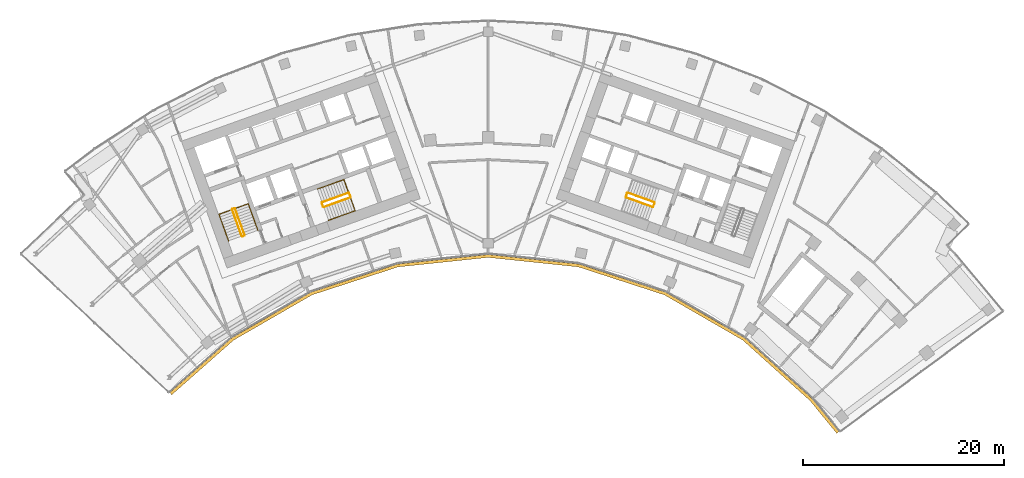
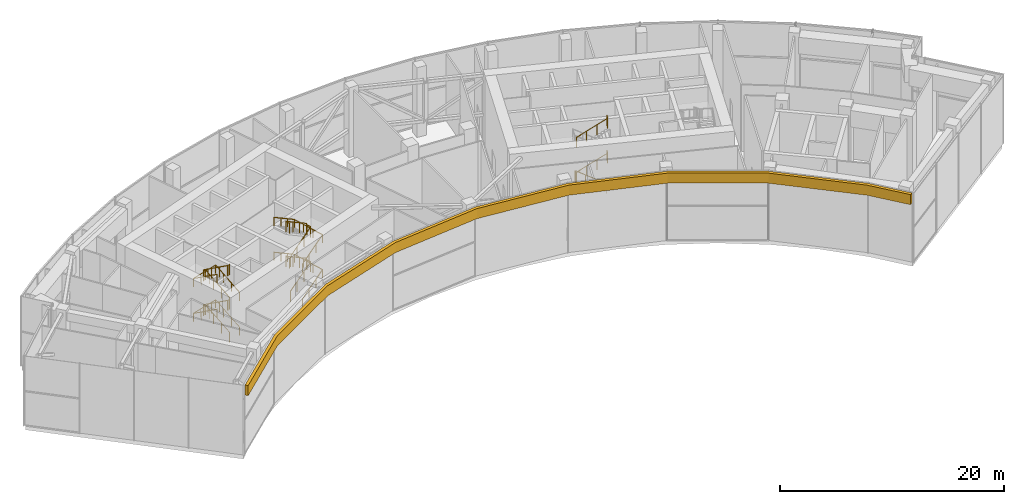
# One storey, part 25 of 26: 15 railings, 1 covering.
"""IFC4 building model written with IfcOpenShell, lengths in metres."""

from ifc_helpers import new_model, si_unit, direction, frame, origin, origin_2d, place, context, subcontext, project, spatial, polyline, circle, outline, extrude, material, layer, layer_set, type_object, element, save


model = new_model("IFC4")

# Units and contexts
model_context = context("Model", 3, precision=1e-05, world=origin(), true_north=direction((0.0, 1.0)))
body_context = subcontext(model_context, "Body", "Model", "MODEL_VIEW")
ifc_project = project(units=[si_unit("LENGTHUNIT", "METRE"), si_unit("AREAUNIT", "SQUARE_METRE"), si_unit("VOLUMEUNIT", "CUBIC_METRE"), si_unit("PLANEANGLEUNIT", "RADIAN"), si_unit("MASSUNIT", "GRAM", prefix="KILO")], contexts=[model_context])

# Site, building, storey
site_placement = place(None, origin())
site = spatial("IfcSite", under=ifc_project, at=site_placement, CompositionType="ELEMENT")
building_placement = place(site_placement, origin())
building = spatial("IfcBuilding", under=site, at=building_placement, Name="Stone Belt Terrace Tower", CompositionType="ELEMENT")
storey_placement = place(building_placement, frame((0.0, 0.0, 250.39990234375)))
storey = spatial("IfcBuildingStorey", under=building, at=storey_placement, Name="L61", CompositionType="ELEMENT", Elevation=250.39990234375)

# Railings
ifc_material_1 = material(Name="Structural steel C345", Category="steel")
railing_type_1 = type_object("IfcRailingType", Name="Stair guard 1100", PredefinedType="GUARDRAIL", material=ifc_material_1)
railing_1_placement = place(storey_placement, frame((-24.2119140625, 45.276123046875, 0.1728515625)))
element("IfcRailing", 1, at=railing_1_placement, inside=storey, type_object=railing_type_1, Name="L61 ST1A stair guard 1", PredefinedType="GUARDRAIL", context=body_context, shape_type="SweptSolid", body=[
    extrude(circle(Radius=0.02392578125, at=origin_2d()), frame((0.0, 0.0, 1.076171875), z_axis=(-0.288228637646, 0.800791768495, 0.525030280985), x_axis=(-0.940908529223, -0.338660803216, 0.0)), (0.0, 0.0, 1.0), 3.289794921875),
    extrude(circle(Radius=0.02392578125, at=origin_2d()), frame((-0.9482421875, 2.634521484375, 2.80322265625), z_axis=(-0.905209821074, 0.424964916, 0.0), x_axis=(-0.424964916, -0.905209821074, 0.0)), (0.0, 0.0, 1.0), 0.070556640625),
    extrude(circle(Radius=0.02392578125, at=origin_2d()), frame((-1.01220703125, 2.66455078125, 2.80322265625), z_axis=(-0.941105063269, -0.338114270461, 0.0), x_axis=(0.338114270461, -0.941105063269, 0.0)), (0.0, 0.0, 1.0), 0.199951171875),
    extrude(circle(Radius=0.02099609375, at=origin_2d()), origin(), (0.0, 0.0, 1.0), 1.052001953125),
    extrude(circle(Radius=0.02099609375, at=origin_2d()), frame((-0.316162109375, 0.878173828125, 0.57568359375)), (0.0, 0.0, 1.0), 1.052001953125),
    extrude(circle(Radius=0.02099609375, at=origin_2d()), frame((-0.632080078125, 1.75634765625, 1.151611328125)), (0.0, 0.0, 1.0), 1.052001953125),
    extrude(circle(Radius=0.02099609375, at=origin_2d()), frame((-0.9482421875, 2.634521484375, 1.727294921875)), (0.0, 0.0, 1.0), 1.052001953125),
    extrude(circle(Radius=0.02099609375, at=origin_2d()), frame((-1.01220703125, 2.66455078125, 1.727294921875)), (0.0, 0.0, 1.0), 1.052001953125),
    extrude(circle(Radius=0.02099609375, at=origin_2d()), frame((-1.200439453125, 2.596923828125, 1.727294921875)), (0.0, 0.0, 1.0), 1.052001953125),
])
railing_2_placement = place(storey_placement, frame((-25.4423828125, 47.80908203125, 2.07275390625)))
element("IfcRailing", 2, at=railing_2_placement, inside=storey, type_object=railing_type_1, Name="L61 ST1A stair guard 2", PredefinedType="GUARDRAIL", context=body_context, shape_type="SweptSolid", body=[
    extrude(circle(Radius=0.02392578125, at=origin_2d()), frame((0.0, 0.0, 1.076171875), z_axis=(0.288228637646, -0.800791768495, 0.525030280985), x_axis=(0.940908529223, 0.338660803216, 0.0)), (0.0, 0.0, 1.0), 3.289794921875),
    extrude(circle(Radius=0.02392578125, at=origin_2d()), frame((0.9482421875, -2.634521484375, 2.80322265625), z_axis=(0.903878284585, -0.427789722475, 0.0), x_axis=(0.427789722475, 0.903878284585, 0.0)), (0.0, 0.0, 1.0), 0.07080078125),
    extrude(circle(Radius=0.02392578125, at=origin_2d()), frame((1.01220703125, -2.664794921875, 2.80322265625), z_axis=(0.940575576748, 0.339584429008, 0.0), x_axis=(-0.339584429008, 0.940575576748, 0.0)), (0.0, 0.0, 1.0), 0.199951171875),
    extrude(circle(Radius=0.02099609375, at=origin_2d()), origin(), (0.0, 0.0, 1.0), 1.052001953125),
    extrude(circle(Radius=0.02099609375, at=origin_2d()), frame((0.316162109375, -0.878173828125, 0.57568359375)), (0.0, 0.0, 1.0), 1.052001953125),
    extrude(circle(Radius=0.02099609375, at=origin_2d()), frame((0.632080078125, -1.75634765625, 1.151611328125)), (0.0, 0.0, 1.0), 1.052001953125),
    extrude(circle(Radius=0.02099609375, at=origin_2d()), frame((0.9482421875, -2.634521484375, 1.727294921875)), (0.0, 0.0, 1.0), 1.052001953125),
    extrude(circle(Radius=0.02099609375, at=origin_2d()), frame((1.01220703125, -2.664794921875, 1.727294921875)), (0.0, 0.0, 1.0), 1.052001953125),
    extrude(circle(Radius=0.02099609375, at=origin_2d()), frame((1.2001953125, -2.596923828125, 1.727294921875)), (0.0, 0.0, 1.0), 1.052001953125),
])
railing_3_placement = place(storey_placement, frame((-24.2119140625, 45.276123046875, 3.972900390625)))
element("IfcRailing", 3, at=railing_3_placement, inside=storey, type_object=railing_type_1, Name="L61 ST1A stair guard 3", PredefinedType="GUARDRAIL", context=body_context, shape_type="SweptSolid", body=[
    extrude(circle(Radius=0.02392578125, at=origin_2d()), frame((0.0, 0.0, 1.076171875), z_axis=(-0.288228637646, 0.800791768495, 0.525030280985), x_axis=(-0.940908529223, -0.338660803216, 0.0)), (0.0, 0.0, 1.0), 3.289794921875),
    extrude(circle(Radius=0.02392578125, at=origin_2d()), frame((-0.9482421875, 2.634521484375, 2.80322265625), z_axis=(-0.905209821074, 0.424964916, 0.0), x_axis=(-0.424964916, -0.905209821074, 0.0)), (0.0, 0.0, 1.0), 0.070556640625),
    extrude(circle(Radius=0.02392578125, at=origin_2d()), frame((-1.01220703125, 2.66455078125, 2.80322265625), z_axis=(-0.941105063269, -0.338114270461, 0.0), x_axis=(0.338114270461, -0.941105063269, 0.0)), (0.0, 0.0, 1.0), 0.199951171875),
    extrude(circle(Radius=0.02099609375, at=origin_2d()), origin(), (0.0, 0.0, 1.0), 1.052001953125),
    extrude(circle(Radius=0.02099609375, at=origin_2d()), frame((-0.316162109375, 0.878173828125, 0.57568359375)), (0.0, 0.0, 1.0), 1.052001953125),
    extrude(circle(Radius=0.02099609375, at=origin_2d()), frame((-0.632080078125, 1.75634765625, 1.151611328125)), (0.0, 0.0, 1.0), 1.052001953125),
    extrude(circle(Radius=0.02099609375, at=origin_2d()), frame((-0.9482421875, 2.634521484375, 1.727294921875)), (0.0, 0.0, 1.0), 1.052001953125),
    extrude(circle(Radius=0.02099609375, at=origin_2d()), frame((-1.01220703125, 2.66455078125, 1.727294921875)), (0.0, 0.0, 1.0), 1.052001953125),
    extrude(circle(Radius=0.02099609375, at=origin_2d()), frame((-1.200439453125, 2.596923828125, 1.727294921875)), (0.0, 0.0, 1.0), 1.052001953125),
])
railing_4_placement = place(storey_placement, frame((-25.4423828125, 47.80908203125, 5.872802734375)))
element("IfcRailing", 4, at=railing_4_placement, inside=storey, type_object=railing_type_1, Name="L61 ST1A stair guard 4", PredefinedType="GUARDRAIL", context=body_context, shape_type="SweptSolid", body=[
    extrude(circle(Radius=0.02392578125, at=origin_2d()), frame((0.0, 0.0, 1.076171875), z_axis=(0.288228637646, -0.800791768495, 0.525030280985), x_axis=(0.940908529223, 0.338660803216, 0.0)), (0.0, 0.0, 1.0), 3.289794921875),
    extrude(circle(Radius=0.02392578125, at=origin_2d()), frame((0.9482421875, -2.634521484375, 2.80322265625), z_axis=(0.903878284585, -0.427789722475, 0.0), x_axis=(0.427789722475, 0.903878284585, 0.0)), (0.0, 0.0, 1.0), 0.07080078125),
    extrude(circle(Radius=0.02392578125, at=origin_2d()), frame((1.01220703125, -2.664794921875, 2.80322265625), z_axis=(0.940575576748, 0.339584429008, 0.0), x_axis=(-0.339584429008, 0.940575576748, 0.0)), (0.0, 0.0, 1.0), 0.199951171875),
    extrude(circle(Radius=0.02099609375, at=origin_2d()), origin(), (0.0, 0.0, 1.0), 1.052001953125),
    extrude(circle(Radius=0.02099609375, at=origin_2d()), frame((0.316162109375, -0.878173828125, 0.57568359375)), (0.0, 0.0, 1.0), 1.052001953125),
    extrude(circle(Radius=0.02099609375, at=origin_2d()), frame((0.632080078125, -1.75634765625, 1.151611328125)), (0.0, 0.0, 1.0), 1.052001953125),
    extrude(circle(Radius=0.02099609375, at=origin_2d()), frame((0.9482421875, -2.634521484375, 1.727294921875)), (0.0, 0.0, 1.0), 1.052001953125),
    extrude(circle(Radius=0.02099609375, at=origin_2d()), frame((1.01220703125, -2.664794921875, 1.727294921875)), (0.0, 0.0, 1.0), 1.052001953125),
    extrude(circle(Radius=0.02099609375, at=origin_2d()), frame((1.2001953125, -2.596923828125, 1.727294921875)), (0.0, 0.0, 1.0), 1.052001953125),
])
railing_5_placement = place(storey_placement, frame((-16.33837890625, 48.056640625, 0.1728515625)))
element("IfcRailing", 5, at=railing_5_placement, inside=storey, type_object=railing_type_1, Name="L61 ST2A stair guard 1", PredefinedType="GUARDRAIL", context=body_context, shape_type="SweptSolid", body=[
    extrude(circle(Radius=0.02392578125, at=origin_2d()), frame((0.0, 0.0, 1.076171875), z_axis=(0.800808895155, 0.288160591223, 0.52504150989), x_axis=(-0.338583606334, 0.940936311087, 0.0)), (0.0, 0.0, 1.0), 3.289794921875),
    extrude(circle(Radius=0.02392578125, at=origin_2d()), frame((2.634521484375, 0.947998046875, 2.80322265625), z_axis=(0.427789722475, 0.903878284585, 0.0), x_axis=(-0.903878284585, 0.427789722475, 0.0)), (0.0, 0.0, 1.0), 0.07080078125),
    extrude(circle(Radius=0.02392578125, at=origin_2d()), frame((2.664794921875, 1.011962890625, 2.80322265625), z_axis=(-0.338654645739, 0.940910745459, 0.0), x_axis=(-0.940910745459, -0.338654645739, 0.0)), (0.0, 0.0, 1.0), 0.400146484375),
    extrude(circle(Radius=0.02099609375, at=origin_2d()), origin(), (0.0, 0.0, 1.0), 1.052001953125),
    extrude(circle(Radius=0.02099609375, at=origin_2d()), frame((0.878173828125, 0.31591796875, 0.57568359375)), (0.0, 0.0, 1.0), 1.052001953125),
    extrude(circle(Radius=0.02099609375, at=origin_2d()), frame((1.75634765625, 0.632080078125, 1.151611328125)), (0.0, 0.0, 1.0), 1.052001953125),
    extrude(circle(Radius=0.02099609375, at=origin_2d()), frame((2.634521484375, 0.947998046875, 1.727294921875)), (0.0, 0.0, 1.0), 1.052001953125),
    extrude(circle(Radius=0.02099609375, at=origin_2d()), frame((2.664794921875, 1.011962890625, 1.727294921875)), (0.0, 0.0, 1.0), 1.052001953125),
    extrude(circle(Radius=0.02099609375, at=origin_2d()), frame((2.529296875, 1.388427734375, 1.727294921875)), (0.0, 0.0, 1.0), 1.052001953125),
])
railing_6_placement = place(storey_placement, frame((-13.873046875, 49.47509765625, 2.07275390625)))
element("IfcRailing", 6, at=railing_6_placement, inside=storey, type_object=railing_type_1, Name="L61 ST2A stair guard 2", PredefinedType="GUARDRAIL", context=body_context, shape_type="SweptSolid", body=[
    extrude(circle(Radius=0.02392578125, at=origin_2d()), frame((0.0, 0.0, 1.076171875), z_axis=(-0.800808895155, -0.288160591223, 0.52504150989), x_axis=(0.338583606334, -0.940936311087, 0.0)), (0.0, 0.0, 1.0), 3.289794921875),
    extrude(circle(Radius=0.02392578125, at=origin_2d()), frame((-2.634521484375, -0.947998046875, 2.80322265625), z_axis=(-0.427789722475, -0.903878284585, 0.0), x_axis=(0.903878284585, -0.427789722475, 0.0)), (0.0, 0.0, 1.0), 0.07080078125),
    extrude(circle(Radius=0.02392578125, at=origin_2d()), frame((-2.664794921875, -1.011962890625, 2.80322265625), z_axis=(0.338654645739, -0.940910745459, 0.0), x_axis=(0.940910745459, 0.338654645739, 0.0)), (0.0, 0.0, 1.0), 0.400146484375),
    extrude(circle(Radius=0.02099609375, at=origin_2d()), origin(), (0.0, 0.0, 1.0), 1.052001953125),
    extrude(circle(Radius=0.02099609375, at=origin_2d()), frame((-0.878173828125, -0.31591796875, 0.57568359375)), (0.0, 0.0, 1.0), 1.052001953125),
    extrude(circle(Radius=0.02099609375, at=origin_2d()), frame((-1.75634765625, -0.632080078125, 1.151611328125)), (0.0, 0.0, 1.0), 1.052001953125),
    extrude(circle(Radius=0.02099609375, at=origin_2d()), frame((-2.634521484375, -0.947998046875, 1.727294921875)), (0.0, 0.0, 1.0), 1.052001953125),
    extrude(circle(Radius=0.02099609375, at=origin_2d()), frame((-2.664794921875, -1.011962890625, 1.727294921875)), (0.0, 0.0, 1.0), 1.052001953125),
    extrude(circle(Radius=0.02099609375, at=origin_2d()), frame((-2.529296875, -1.388427734375, 1.727294921875)), (0.0, 0.0, 1.0), 1.052001953125),
])
railing_7_placement = place(storey_placement, frame((-16.33837890625, 48.056640625, 3.972900390625)))
element("IfcRailing", 7, at=railing_7_placement, inside=storey, type_object=railing_type_1, Name="L61 ST2A stair guard 3", PredefinedType="GUARDRAIL", context=body_context, shape_type="SweptSolid", body=[
    extrude(circle(Radius=0.02392578125, at=origin_2d()), frame((0.0, 0.0, 1.076171875), z_axis=(0.800808895155, 0.288160591223, 0.52504150989), x_axis=(-0.338583606334, 0.940936311087, 0.0)), (0.0, 0.0, 1.0), 3.289794921875),
    extrude(circle(Radius=0.02392578125, at=origin_2d()), frame((2.634521484375, 0.947998046875, 2.80322265625), z_axis=(0.427789722475, 0.903878284585, 0.0), x_axis=(-0.903878284585, 0.427789722475, 0.0)), (0.0, 0.0, 1.0), 0.07080078125),
    extrude(circle(Radius=0.02392578125, at=origin_2d()), frame((2.664794921875, 1.011962890625, 2.80322265625), z_axis=(-0.338654645739, 0.940910745459, 0.0), x_axis=(-0.940910745459, -0.338654645739, 0.0)), (0.0, 0.0, 1.0), 0.400146484375),
    extrude(circle(Radius=0.02099609375, at=origin_2d()), origin(), (0.0, 0.0, 1.0), 1.052001953125),
    extrude(circle(Radius=0.02099609375, at=origin_2d()), frame((0.878173828125, 0.31591796875, 0.57568359375)), (0.0, 0.0, 1.0), 1.052001953125),
    extrude(circle(Radius=0.02099609375, at=origin_2d()), frame((1.75634765625, 0.632080078125, 1.151611328125)), (0.0, 0.0, 1.0), 1.052001953125),
    extrude(circle(Radius=0.02099609375, at=origin_2d()), frame((2.634521484375, 0.947998046875, 1.727294921875)), (0.0, 0.0, 1.0), 1.052001953125),
    extrude(circle(Radius=0.02099609375, at=origin_2d()), frame((2.664794921875, 1.011962890625, 1.727294921875)), (0.0, 0.0, 1.0), 1.052001953125),
    extrude(circle(Radius=0.02099609375, at=origin_2d()), frame((2.529296875, 1.388427734375, 1.727294921875)), (0.0, 0.0, 1.0), 1.052001953125),
])
railing_8_placement = place(storey_placement, frame((-13.873046875, 49.47509765625, 5.872802734375)))
element("IfcRailing", 8, at=railing_8_placement, inside=storey, type_object=railing_type_1, Name="L61 ST2A stair guard 4", PredefinedType="GUARDRAIL", context=body_context, shape_type="SweptSolid", body=[
    extrude(circle(Radius=0.02392578125, at=origin_2d()), frame((0.0, 0.0, 1.076171875), z_axis=(-0.800808895155, -0.288160591223, 0.52504150989), x_axis=(0.338583606334, -0.940936311087, 0.0)), (0.0, 0.0, 1.0), 3.289794921875),
    extrude(circle(Radius=0.02392578125, at=origin_2d()), frame((-2.634521484375, -0.947998046875, 2.80322265625), z_axis=(-0.427789722475, -0.903878284585, 0.0), x_axis=(0.903878284585, -0.427789722475, 0.0)), (0.0, 0.0, 1.0), 0.07080078125),
    extrude(circle(Radius=0.02392578125, at=origin_2d()), frame((-2.664794921875, -1.011962890625, 2.80322265625), z_axis=(0.338654645739, -0.940910745459, 0.0), x_axis=(0.940910745459, 0.338654645739, 0.0)), (0.0, 0.0, 1.0), 0.400146484375),
    extrude(circle(Radius=0.02099609375, at=origin_2d()), origin(), (0.0, 0.0, 1.0), 1.052001953125),
    extrude(circle(Radius=0.02099609375, at=origin_2d()), frame((-0.878173828125, -0.31591796875, 0.57568359375)), (0.0, 0.0, 1.0), 1.052001953125),
    extrude(circle(Radius=0.02099609375, at=origin_2d()), frame((-1.75634765625, -0.632080078125, 1.151611328125)), (0.0, 0.0, 1.0), 1.052001953125),
    extrude(circle(Radius=0.02099609375, at=origin_2d()), frame((-2.634521484375, -0.947998046875, 1.727294921875)), (0.0, 0.0, 1.0), 1.052001953125),
    extrude(circle(Radius=0.02099609375, at=origin_2d()), frame((-2.664794921875, -1.011962890625, 1.727294921875)), (0.0, 0.0, 1.0), 1.052001953125),
    extrude(circle(Radius=0.02099609375, at=origin_2d()), frame((-2.529296875, -1.388427734375, 1.727294921875)), (0.0, 0.0, 1.0), 1.052001953125),
])
railing_9_placement = place(storey_placement, frame((16.507568359375, 48.527099609375, 0.1728515625)))
element("IfcRailing", 9, at=railing_9_placement, inside=storey, type_object=railing_type_1, Name="L61 ST2B stair guard 1", PredefinedType="GUARDRAIL", context=body_context, shape_type="SweptSolid", body=[
    extrude(circle(Radius=0.02392578125, at=origin_2d()), frame((0.0, 0.0, 1.076171875), z_axis=(-0.800808895155, 0.288160591223, 0.52504150989), x_axis=(-0.338583606334, -0.940936311087, 0.0)), (0.0, 0.0, 1.0), 3.289794921875),
    extrude(circle(Radius=0.02392578125, at=origin_2d()), frame((-2.634521484375, 0.947998046875, 2.80322265625), z_axis=(-0.905209821074, -0.424964916, 0.0), x_axis=(0.424964916, -0.905209821074, 0.0)), (0.0, 0.0, 1.0), 0.070556640625),
    extrude(circle(Radius=0.02392578125, at=origin_2d()), frame((-2.698486328125, 0.91796875, 2.80322265625), z_axis=(-0.338654645739, -0.940910745459, 0.0), x_axis=(0.940910745459, -0.338654645739, 0.0)), (0.0, 0.0, 1.0), 0.400146484375),
    extrude(circle(Radius=0.02099609375, at=origin_2d()), origin(), (0.0, 0.0, 1.0), 1.052001953125),
    extrude(circle(Radius=0.02099609375, at=origin_2d()), frame((-0.878173828125, 0.31591796875, 0.57568359375)), (0.0, 0.0, 1.0), 1.052001953125),
    extrude(circle(Radius=0.02099609375, at=origin_2d()), frame((-1.75634765625, 0.632080078125, 1.151611328125)), (0.0, 0.0, 1.0), 1.052001953125),
    extrude(circle(Radius=0.02099609375, at=origin_2d()), frame((-2.634521484375, 0.947998046875, 1.727294921875)), (0.0, 0.0, 1.0), 1.052001953125),
    extrude(circle(Radius=0.02099609375, at=origin_2d()), frame((-2.698486328125, 0.91796875, 1.727294921875)), (0.0, 0.0, 1.0), 1.052001953125),
    extrude(circle(Radius=0.02099609375, at=origin_2d()), frame((-2.833984375, 0.54150390625, 1.727294921875)), (0.0, 0.0, 1.0), 1.052001953125),
])
for number, where, name in (
    (10, (13.703857421875, 49.004638671875, 2.07275390625), "L61 ST2B stair guard 2"),
    (11, (13.703857421875, 49.004638671875, 5.872802734375), "L61 ST2B stair guard 4"),
):
    element("IfcRailing", number, at=place(storey_placement, frame(where)), inside=storey, type_object=railing_type_1, Name=name, PredefinedType="GUARDRAIL", context=body_context, shape_type="SweptSolid", body=[
        extrude(circle(Radius=0.02392578125, at=origin_2d()), frame((0.0, 0.0, 1.076171875), z_axis=(0.800808895155, -0.288160591223, 0.52504150989), x_axis=(0.338583606334, 0.940936311087, 0.0)), (0.0, 0.0, 1.0), 3.289794921875),
        extrude(circle(Radius=0.02392578125, at=origin_2d()), frame((2.634521484375, -0.947998046875, 2.80322265625), z_axis=(0.905209821074, 0.424964916, 0.0), x_axis=(-0.424964916, 0.905209821074, 0.0)), (0.0, 0.0, 1.0), 0.070556640625),
        extrude(circle(Radius=0.02392578125, at=origin_2d()), frame((2.698486328125, -0.91796875, 2.80322265625), z_axis=(0.338654645739, 0.940910745459, 0.0), x_axis=(-0.940910745459, 0.338654645739, 0.0)), (0.0, 0.0, 1.0), 0.400146484375),
        extrude(circle(Radius=0.02099609375, at=origin_2d()), origin(), (0.0, 0.0, 1.0), 1.052001953125),
        extrude(circle(Radius=0.02099609375, at=origin_2d()), frame((0.878173828125, -0.31591796875, 0.57568359375)), (0.0, 0.0, 1.0), 1.052001953125),
        extrude(circle(Radius=0.02099609375, at=origin_2d()), frame((1.75634765625, -0.632080078125, 1.151611328125)), (0.0, 0.0, 1.0), 1.052001953125),
        extrude(circle(Radius=0.02099609375, at=origin_2d()), frame((2.634521484375, -0.947998046875, 1.727294921875)), (0.0, 0.0, 1.0), 1.052001953125),
        extrude(circle(Radius=0.02099609375, at=origin_2d()), frame((2.698486328125, -0.91796875, 1.727294921875)), (0.0, 0.0, 1.0), 1.052001953125),
        extrude(circle(Radius=0.02099609375, at=origin_2d()), frame((2.833984375, -0.54150390625, 1.727294921875)), (0.0, 0.0, 1.0), 1.052001953125),
    ])
railing_type_2 = type_object("IfcRailingType", Name="Stair handrail 900", PredefinedType="HANDRAIL", material=ifc_material_1)
railing_10_placement = place(storey_placement, frame((-22.894775390625, 45.750244140625, 0.1728515625)))
element("IfcRailing", 12, at=railing_10_placement, inside=storey, type_object=railing_type_2, Name="L61 ST1A stair handrail 1", PredefinedType="HANDRAIL", context=body_context, shape_type="SweptSolid", body=[
    extrude(circle(Radius=0.02392578125, at=origin_2d()), frame((0.0, 0.0, 0.8759765625), z_axis=(-0.288160591223, 0.800808895155, 0.52504150989), x_axis=(-0.940936311087, -0.338583606334, 0.0)), (0.0, 0.0, 1.0), 3.289794921875),
    extrude(circle(Radius=0.02392578125, at=origin_2d()), frame((-0.947998046875, 2.634521484375, 2.60302734375), z_axis=(-0.939464517435, -0.338106580597, 0.055591012205), x_axis=(0.338630230244, -0.940919532779, 0.0)), (0.0, 0.0, 1.0), 3.10498046875),
    extrude(circle(Radius=0.02392578125, at=origin_2d()), frame((-3.864990234375, 1.584716796875, 2.77587890625), z_axis=(0.288228637646, -0.800791768495, 0.525030280985), x_axis=(0.940908529223, 0.338660803216, 0.0)), (0.0, 0.0, 1.0), 3.289794921875),
    extrude(circle(Radius=0.02099609375, at=origin_2d()), origin(), (0.0, 0.0, 1.0), 0.851806640625),
    extrude(circle(Radius=0.02099609375, at=origin_2d()), frame((-0.31591796875, 0.878173828125, 0.57568359375)), (0.0, 0.0, 1.0), 0.851806640625),
    extrude(circle(Radius=0.02099609375, at=origin_2d()), frame((-0.632080078125, 1.75634765625, 1.151611328125)), (0.0, 0.0, 1.0), 0.851806640625),
    extrude(circle(Radius=0.02099609375, at=origin_2d()), frame((-0.947998046875, 2.634521484375, 1.727294921875)), (0.0, 0.0, 1.0), 0.851806640625),
    extrude(circle(Radius=0.02099609375, at=origin_2d()), frame((-1.92041015625, 2.28466796875, 1.784912109375)), (0.0, 0.0, 1.0), 0.851806640625),
    extrude(circle(Radius=0.02099609375, at=origin_2d()), frame((-2.892578125, 1.9345703125, 1.84228515625)), (0.0, 0.0, 1.0), 0.851806640625),
    extrude(circle(Radius=0.02099609375, at=origin_2d()), frame((-3.864990234375, 1.584716796875, 1.89990234375)), (0.0, 0.0, 1.0), 0.851806640625),
    extrude(circle(Radius=0.02099609375, at=origin_2d()), frame((-3.548828125, 0.70654296875, 2.4755859375)), (0.0, 0.0, 1.0), 0.851806640625),
    extrude(circle(Radius=0.02099609375, at=origin_2d()), frame((-3.23291015625, -0.171630859375, 3.051513671875)), (0.0, 0.0, 1.0), 0.851806640625),
    extrude(circle(Radius=0.02099609375, at=origin_2d()), frame((-2.916748046875, -1.0498046875, 3.627197265625)), (0.0, 0.0, 1.0), 0.851806640625),
])
railing_11_placement = place(storey_placement, frame((-22.894775390625, 45.750244140625, 3.972900390625)))
element("IfcRailing", 13, at=railing_11_placement, inside=storey, type_object=railing_type_2, Name="L61 ST1A stair handrail 2", PredefinedType="HANDRAIL", context=body_context, shape_type="SweptSolid", body=[
    extrude(circle(Radius=0.02392578125, at=origin_2d()), frame((0.0, 0.0, 0.8759765625), z_axis=(-0.288160591223, 0.800808895155, 0.52504150989), x_axis=(-0.940936311087, -0.338583606334, 0.0)), (0.0, 0.0, 1.0), 3.289794921875),
    extrude(circle(Radius=0.02392578125, at=origin_2d()), frame((-0.947998046875, 2.634521484375, 2.60302734375), z_axis=(-0.939464517435, -0.338106580597, 0.055591012205), x_axis=(0.338630230244, -0.940919532779, 0.0)), (0.0, 0.0, 1.0), 3.10498046875),
    extrude(circle(Radius=0.02392578125, at=origin_2d()), frame((-3.864990234375, 1.584716796875, 2.77587890625), z_axis=(0.288228637646, -0.800791768495, 0.525030280985), x_axis=(0.940908529223, 0.338660803216, 0.0)), (0.0, 0.0, 1.0), 3.289794921875),
    extrude(circle(Radius=0.02099609375, at=origin_2d()), origin(), (0.0, 0.0, 1.0), 0.851806640625),
    extrude(circle(Radius=0.02099609375, at=origin_2d()), frame((-0.31591796875, 0.878173828125, 0.57568359375)), (0.0, 0.0, 1.0), 0.851806640625),
    extrude(circle(Radius=0.02099609375, at=origin_2d()), frame((-0.632080078125, 1.75634765625, 1.151611328125)), (0.0, 0.0, 1.0), 0.851806640625),
    extrude(circle(Radius=0.02099609375, at=origin_2d()), frame((-0.947998046875, 2.634521484375, 1.727294921875)), (0.0, 0.0, 1.0), 0.851806640625),
    extrude(circle(Radius=0.02099609375, at=origin_2d()), frame((-1.92041015625, 2.28466796875, 1.784912109375)), (0.0, 0.0, 1.0), 0.851806640625),
    extrude(circle(Radius=0.02099609375, at=origin_2d()), frame((-2.892578125, 1.9345703125, 1.84228515625)), (0.0, 0.0, 1.0), 0.851806640625),
    extrude(circle(Radius=0.02099609375, at=origin_2d()), frame((-3.864990234375, 1.584716796875, 1.89990234375)), (0.0, 0.0, 1.0), 0.851806640625),
    extrude(circle(Radius=0.02099609375, at=origin_2d()), frame((-3.548828125, 0.70654296875, 2.4755859375)), (0.0, 0.0, 1.0), 0.851806640625),
    extrude(circle(Radius=0.02099609375, at=origin_2d()), frame((-3.23291015625, -0.171630859375, 3.051513671875)), (0.0, 0.0, 1.0), 0.851806640625),
    extrude(circle(Radius=0.02099609375, at=origin_2d()), frame((-2.916748046875, -1.0498046875, 3.627197265625)), (0.0, 0.0, 1.0), 0.851806640625),
])
railing_12_placement = place(storey_placement, frame((-15.8642578125, 46.7392578125, 0.1728515625)))
element("IfcRailing", 14, at=railing_12_placement, inside=storey, type_object=railing_type_2, Name="L61 ST2A stair handrail 1", PredefinedType="HANDRAIL", context=body_context, shape_type="SweptSolid", body=[
    extrude(circle(Radius=0.02392578125, at=origin_2d()), frame((0.0, 0.0, 0.8759765625), z_axis=(0.800791768495, 0.288228637646, 0.525030280985), x_axis=(-0.338660803216, 0.940908529223, 0.0)), (0.0, 0.0, 1.0), 3.289794921875),
    extrude(circle(Radius=0.02392578125, at=origin_2d()), frame((2.634521484375, 0.9482421875, 2.60302734375), z_axis=(-0.338160254016, 0.939637778147, 0.052234935458), x_axis=(-0.940922302781, -0.338622533404, 0.0)), (0.0, 0.0, 1.0), 3.304443359375),
    extrude(circle(Radius=0.02392578125, at=origin_2d()), frame((1.51708984375, 4.05322265625, 2.77587890625), z_axis=(-0.800791768495, -0.288228637646, 0.525030280985), x_axis=(0.338660803216, -0.940908529223, 0.0)), (0.0, 0.0, 1.0), 3.289794921875),
    extrude(circle(Radius=0.02099609375, at=origin_2d()), origin(), (0.0, 0.0, 1.0), 0.851806640625),
    extrude(circle(Radius=0.02099609375, at=origin_2d()), frame((0.878173828125, 0.316162109375, 0.57568359375)), (0.0, 0.0, 1.0), 0.851806640625),
    extrude(circle(Radius=0.02099609375, at=origin_2d()), frame((1.75634765625, 0.632080078125, 1.151611328125)), (0.0, 0.0, 1.0), 0.851806640625),
    extrude(circle(Radius=0.02099609375, at=origin_2d()), frame((2.634521484375, 0.9482421875, 1.727294921875)), (0.0, 0.0, 1.0), 0.851806640625),
    extrude(circle(Radius=0.02099609375, at=origin_2d()), frame((2.261962890625, 1.983154296875, 1.784912109375)), (0.0, 0.0, 1.0), 0.851806640625),
    extrude(circle(Radius=0.02099609375, at=origin_2d()), frame((1.8896484375, 3.018310546875, 1.84228515625)), (0.0, 0.0, 1.0), 0.851806640625),
    extrude(circle(Radius=0.02099609375, at=origin_2d()), frame((1.51708984375, 4.05322265625, 1.89990234375)), (0.0, 0.0, 1.0), 0.851806640625),
    extrude(circle(Radius=0.02099609375, at=origin_2d()), frame((0.638916015625, 3.737060546875, 2.4755859375)), (0.0, 0.0, 1.0), 0.851806640625),
    extrude(circle(Radius=0.02099609375, at=origin_2d()), frame((-0.2392578125, 3.421142578125, 3.051513671875)), (0.0, 0.0, 1.0), 0.851806640625),
    extrude(circle(Radius=0.02099609375, at=origin_2d()), frame((-1.117431640625, 3.10498046875, 3.627197265625)), (0.0, 0.0, 1.0), 0.851806640625),
])
railing_13_placement = place(storey_placement, frame((-15.8642578125, 46.7392578125, 3.972900390625)))
element("IfcRailing", 15, at=railing_13_placement, inside=storey, type_object=railing_type_2, Name="L61 ST2A stair handrail 2", PredefinedType="HANDRAIL", context=body_context, shape_type="SweptSolid", body=[
    extrude(circle(Radius=0.02392578125, at=origin_2d()), frame((0.0, 0.0, 0.8759765625), z_axis=(0.800791768495, 0.288228637646, 0.525030280985), x_axis=(-0.338660803216, 0.940908529223, 0.0)), (0.0, 0.0, 1.0), 3.289794921875),
    extrude(circle(Radius=0.02392578125, at=origin_2d()), frame((2.634521484375, 0.9482421875, 2.60302734375), z_axis=(-0.338160254016, 0.939637778147, 0.052234935458), x_axis=(-0.940922302781, -0.338622533404, 0.0)), (0.0, 0.0, 1.0), 3.304443359375),
    extrude(circle(Radius=0.02392578125, at=origin_2d()), frame((1.51708984375, 4.05322265625, 2.77587890625), z_axis=(-0.800791768495, -0.288228637646, 0.525030280985), x_axis=(0.338660803216, -0.940908529223, 0.0)), (0.0, 0.0, 1.0), 3.289794921875),
    extrude(circle(Radius=0.02099609375, at=origin_2d()), origin(), (0.0, 0.0, 1.0), 0.851806640625),
    extrude(circle(Radius=0.02099609375, at=origin_2d()), frame((0.878173828125, 0.316162109375, 0.57568359375)), (0.0, 0.0, 1.0), 0.851806640625),
    extrude(circle(Radius=0.02099609375, at=origin_2d()), frame((1.75634765625, 0.632080078125, 1.151611328125)), (0.0, 0.0, 1.0), 0.851806640625),
    extrude(circle(Radius=0.02099609375, at=origin_2d()), frame((2.634521484375, 0.9482421875, 1.727294921875)), (0.0, 0.0, 1.0), 0.851806640625),
    extrude(circle(Radius=0.02099609375, at=origin_2d()), frame((2.261962890625, 1.983154296875, 1.784912109375)), (0.0, 0.0, 1.0), 0.851806640625),
    extrude(circle(Radius=0.02099609375, at=origin_2d()), frame((1.8896484375, 3.018310546875, 1.84228515625)), (0.0, 0.0, 1.0), 0.851806640625),
    extrude(circle(Radius=0.02099609375, at=origin_2d()), frame((1.51708984375, 4.05322265625, 1.89990234375)), (0.0, 0.0, 1.0), 0.851806640625),
    extrude(circle(Radius=0.02099609375, at=origin_2d()), frame((0.638916015625, 3.737060546875, 2.4755859375)), (0.0, 0.0, 1.0), 0.851806640625),
    extrude(circle(Radius=0.02099609375, at=origin_2d()), frame((-0.2392578125, 3.421142578125, 3.051513671875)), (0.0, 0.0, 1.0), 0.851806640625),
    extrude(circle(Radius=0.02099609375, at=origin_2d()), frame((-1.117431640625, 3.10498046875, 3.627197265625)), (0.0, 0.0, 1.0), 0.851806640625),
])

# Covering
ifc_material_2 = material(Name="Terracotta coloured glazed ceramic", Category="masonry")
ifc_layer = layer(ifc_material_2, 0.300048828125)
ifc_layer_set = layer_set([ifc_layer], Name="Terracotta spandrel band 300 x 1100")
covering_type = type_object("IfcCoveringType", Name="Terracotta spandrel band 300 x 1100", PredefinedType="CLADDING", material=ifc_layer_set)
covering_placement = place(storey_placement, frame((0.0, 0.0, 6.5)))
element("IfcCovering", 16, at=covering_placement, inside=storey, type_object=covering_type, Name="BAND L61", PredefinedType="CLADDING", context=body_context, shape_type="SweptSolid", body=[
    extrude(outline(polyline([(-31.651611328125, 29.6220703125), (-25.480712890625, 35.06982421875), (-17.631591796875, 39.6015625), (-9.0126953125, 42.40185546875), (0.0, 43.34912109375), (9.0126953125, 42.40185546875), (17.631591796875, 39.6015625), (25.47998046875, 35.0703125), (32.2177734375, 29.00341796875), (34.8720703125, 25.752197265625), (34.6396484375, 25.5625), (32.0, 28.7958984375), (25.302734375, 34.826171875), (17.509033203125, 39.325927734375), (8.9501953125, 42.10693359375), (0.0, 43.047607421875), (-8.9501953125, 42.10693359375), (-17.509033203125, 39.325927734375), (-25.3046875, 34.824951171875), (-31.453125, 29.39697265625), (-31.651611328125, 29.6220703125)])), origin(), (0.0, 0.0, 1.0), 1.10009765625),
])

save(model, "model.ifc")
